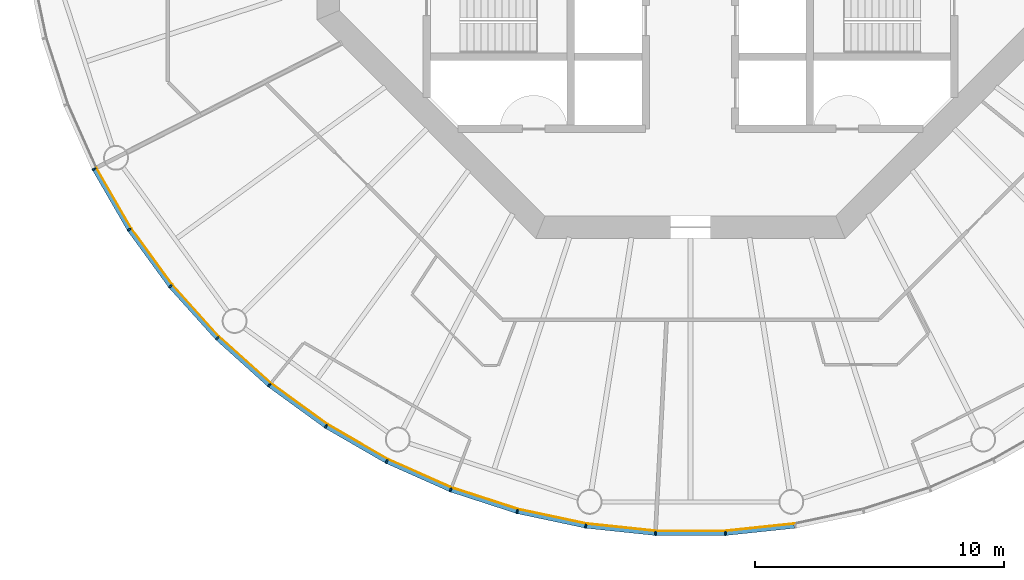
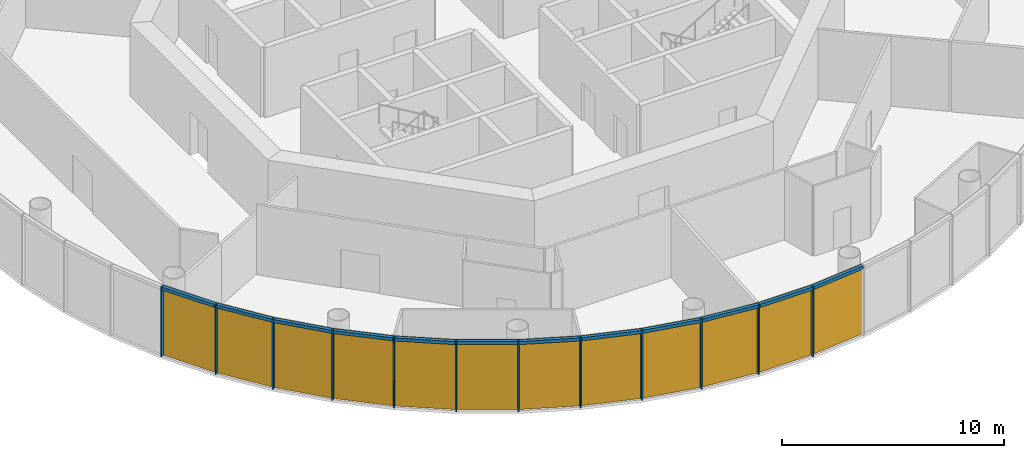
# One storey, part 6 of 12: 24 members, 4 curtain walls.
"""IFC4 building model written with IfcOpenShell, lengths in metres."""

from ifc_helpers import new_model, si_unit, direction, frame, origin, origin_2d, place, context, subcontext, project, spatial, polyline, rectangle, outline, extrude, material, layer, layer_set, material_profile, profile_set, type_object, element, aggregate, save


model = new_model("IFC4")

# Units and contexts
model_context = context("Model", 3, precision=1e-05, world=origin(), true_north=direction((0.0, 1.0)))
body_context = subcontext(model_context, "Body", "Model", "MODEL_VIEW")
ifc_project = project(units=[si_unit("LENGTHUNIT", "METRE"), si_unit("AREAUNIT", "SQUARE_METRE"), si_unit("VOLUMEUNIT", "CUBIC_METRE"), si_unit("PLANEANGLEUNIT", "RADIAN"), si_unit("MASSUNIT", "GRAM", prefix="KILO")], contexts=[model_context])

# Member
ifc_material_1 = material(Name="Anodised aluminium", Category="aluminium")
ifc_material_profile_1 = material_profile(ifc_material_1, rectangle(XDim=0.06005859375, YDim=0.169921875, at=origin_2d()), Name="Mullion 60 x 170 mm anodised aluminium")
ifc_profile_set_1 = profile_set([ifc_material_profile_1], Name="Anodised aluminium")
member_type_1 = type_object("IfcMemberType", Name="Mullion 60 x 170 mm anodised aluminium", PredefinedType="MULLION", material=ifc_profile_set_1)
site_placement = place(None, origin())
building_placement = place(site_placement, origin())
storey_placement = place(building_placement, frame((0.0, 0.0, 254.0)))
member_1_placement = place(storey_placement, frame((66.04541015625, 67.79443359375, 0.0), z_axis=(0.0, 0.0, 1.0), x_axis=(0.45399049974, -0.891006524188, 0.0)))
member_1 = element("IfcMember", 1, at=member_1_placement, type_object=member_type_1, Name="MULLION L58-33", PredefinedType="MULLION", context=body_context, shape_type="SweptSolid", body=[
    extrude(rectangle(XDim=0.06005859375, YDim=0.169921875, at=origin_2d()), origin(), (0.0, 0.0, 1.0), 3.85009765625),
])

member_2_placement = place(storey_placement, frame((67.452392578125, 65.357421875, 0.0), z_axis=(0.0, 0.0, 1.0), x_axis=(0.544639035015, -0.838670567945, 0.0)))
member_2 = element("IfcMember", 2, at=member_2_placement, type_object=member_type_1, Name="MULLION L58-34", PredefinedType="MULLION", context=body_context, shape_type="SweptSolid", body=[
    extrude(rectangle(XDim=0.06005859375, YDim=0.169921875, at=origin_2d()), origin(), (0.0, 0.0, 1.0), 3.85009765625),
])

member_3_placement = place(storey_placement, frame((69.1064453125, 63.080810546875, 0.0), z_axis=(0.0, 0.0, 1.0), x_axis=(0.62932039105, -0.777145961457, 0.0)))
member_3 = element("IfcMember", 3, at=member_3_placement, type_object=member_type_1, Name="MULLION L58-35", PredefinedType="MULLION", context=body_context, shape_type="SweptSolid", body=[
    extrude(rectangle(XDim=0.06005859375, YDim=0.169921875, at=origin_2d()), origin(), (0.0, 0.0, 1.0), 3.85009765625),
])

member_4_placement = place(storey_placement, frame((70.989501953125, 60.989501953125, 0.0), z_axis=(0.0, 0.0, 1.0), x_axis=(0.707106781187, -0.707106781187, 0.0)))
member_4 = element("IfcMember", 4, at=member_4_placement, type_object=member_type_1, Name="MULLION L58-36", PredefinedType="MULLION", context=body_context, shape_type="SweptSolid", body=[
    extrude(rectangle(XDim=0.06005859375, YDim=0.169921875, at=origin_2d()), origin(), (0.0, 0.0, 1.0), 3.85009765625),
])

member_5_placement = place(storey_placement, frame((73.080810546875, 59.1064453125, 0.0), z_axis=(0.0, 0.0, 1.0), x_axis=(0.777145961457, -0.62932039105, 0.0)))
member_5 = element("IfcMember", 5, at=member_5_placement, type_object=member_type_1, Name="MULLION L58-37", PredefinedType="MULLION", context=body_context, shape_type="SweptSolid", body=[
    extrude(rectangle(XDim=0.06005859375, YDim=0.169921875, at=origin_2d()), origin(), (0.0, 0.0, 1.0), 3.85009765625),
])

member_6_placement = place(storey_placement, frame((75.357421875, 57.452392578125, 0.0), z_axis=(0.0, 0.0, 1.0), x_axis=(0.838670567945, -0.544639035015, 0.0)))
member_6 = element("IfcMember", 6, at=member_6_placement, type_object=member_type_1, Name="MULLION L58-38", PredefinedType="MULLION", context=body_context, shape_type="SweptSolid", body=[
    extrude(rectangle(XDim=0.06005859375, YDim=0.169921875, at=origin_2d()), origin(), (0.0, 0.0, 1.0), 3.85009765625),
])

member_7_placement = place(storey_placement, frame((77.79443359375, 56.04541015625, 0.0), z_axis=(0.0, 0.0, 1.0), x_axis=(0.891006524188, -0.45399049974, 0.0)))
member_7 = element("IfcMember", 7, at=member_7_placement, type_object=member_type_1, Name="MULLION L58-39", PredefinedType="MULLION", context=body_context, shape_type="SweptSolid", body=[
    extrude(rectangle(XDim=0.06005859375, YDim=0.169921875, at=origin_2d()), origin(), (0.0, 0.0, 1.0), 3.85009765625),
])

member_8_placement = place(storey_placement, frame((80.365234375, 54.900634765625, 0.0), z_axis=(0.0, 0.0, 1.0), x_axis=(0.933580426497, -0.358367949545, 0.0)))
member_8 = element("IfcMember", 8, at=member_8_placement, type_object=member_type_1, Name="MULLION L58-40", PredefinedType="MULLION", context=body_context, shape_type="SweptSolid", body=[
    extrude(rectangle(XDim=0.06005859375, YDim=0.169921875, at=origin_2d()), origin(), (0.0, 0.0, 1.0), 3.85009765625),
])

member_9_placement = place(storey_placement, frame((83.041748046875, 54.031005859375, 0.0), z_axis=(0.0, 0.0, 1.0), x_axis=(0.965925826289, -0.258819045103, 0.0)))
member_9 = element("IfcMember", 9, at=member_9_placement, type_object=member_type_1, Name="MULLION L58-41", PredefinedType="MULLION", context=body_context, shape_type="SweptSolid", body=[
    extrude(rectangle(XDim=0.06005859375, YDim=0.169921875, at=origin_2d()), origin(), (0.0, 0.0, 1.0), 3.85009765625),
])

member_10_placement = place(storey_placement, frame((85.794189453125, 53.446044921875, 0.0), z_axis=(0.0, 0.0, 1.0), x_axis=(0.987688340595, -0.15643446504, 0.0)))
member_10 = element("IfcMember", 10, at=member_10_placement, type_object=member_type_1, Name="MULLION L58-42", PredefinedType="MULLION", context=body_context, shape_type="SweptSolid", body=[
    extrude(rectangle(XDim=0.06005859375, YDim=0.169921875, at=origin_2d()), origin(), (0.0, 0.0, 1.0), 3.85009765625),
])

member_11_placement = place(storey_placement, frame((88.593017578125, 53.15185546875, 0.0), z_axis=(0.0, 0.0, 1.0), x_axis=(0.998629534755, -0.052335956243, 0.0)))
member_11 = element("IfcMember", 11, at=member_11_placement, type_object=member_type_1, Name="MULLION L58-43", PredefinedType="MULLION", context=body_context, shape_type="SweptSolid", body=[
    extrude(rectangle(XDim=0.06005859375, YDim=0.169921875, at=origin_2d()), origin(), (0.0, 0.0, 1.0), 3.85009765625),
])

member_12_placement = place(storey_placement, frame((91.406982421875, 53.15185546875, 0.0), z_axis=(0.0, 0.0, 1.0), x_axis=(0.998629534755, 0.052335956243, 0.0)))
member_12 = element("IfcMember", 12, at=member_12_placement, type_object=member_type_1, Name="MULLION L58-44", PredefinedType="MULLION", context=body_context, shape_type="SweptSolid", body=[
    extrude(rectangle(XDim=0.06005859375, YDim=0.169921875, at=origin_2d()), origin(), (0.0, 0.0, 1.0), 3.85009765625),
])

ifc_material_2 = material(Name="Anodised aluminium", Category="aluminium")
ifc_material_profile_2 = material_profile(ifc_material_2, rectangle(XDim=0.169921875, YDim=0.1650390625, at=origin_2d()), Name="Transom 165 x 170 mm anodised aluminium")
ifc_profile_set_2 = profile_set([ifc_material_profile_2], Name="Anodised aluminium")
member_type_2 = type_object("IfcMemberType", Name="Transom 165 x 170 mm anodised aluminium", PredefinedType="USERDEFINED", material=ifc_profile_set_2)
member_13_placement = place(storey_placement, frame((66.0625, 67.7646484375, 3.767578125), z_axis=(0.49998419723, -0.866034527326, 0.0), x_axis=(0.866034527326, 0.49998419723, 0.0)))
member_13 = element("IfcMember", 13, at=member_13_placement, type_object=member_type_2, Name="TRANSOM L58-33", ObjectType="TRANSOM", PredefinedType="USERDEFINED", context=body_context, shape_type="SweptSolid", body=[
    extrude(rectangle(XDim=0.169921875, YDim=0.1650390625, at=origin_2d()), origin(), (0.0, 0.0, 1.0), 2.7451171875),
])

member_14_placement = place(storey_placement, frame((67.472412109375, 65.329345703125, 3.767578125), z_axis=(0.587864947412, -0.808959086484, 0.0), x_axis=(0.808959086484, 0.587864947412, 0.0)))
member_14 = element("IfcMember", 14, at=member_14_placement, type_object=member_type_2, Name="TRANSOM L58-34", ObjectType="TRANSOM", PredefinedType="USERDEFINED", context=body_context, shape_type="SweptSolid", body=[
    extrude(rectangle(XDim=0.169921875, YDim=0.1650390625, at=origin_2d()), origin(), (0.0, 0.0, 1.0), 2.7451171875),
])

member_15_placement = place(storey_placement, frame((69.12939453125, 63.054931640625, 3.767578125), z_axis=(0.669141598561, -0.743134927907, 0.0), x_axis=(0.743134927907, 0.669141598561, 0.0)))
member_15 = element("IfcMember", 15, at=member_15_placement, type_object=member_type_2, Name="TRANSOM L58-35", ObjectType="TRANSOM", PredefinedType="USERDEFINED", context=body_context, shape_type="SweptSolid", body=[
    extrude(rectangle(XDim=0.169921875, YDim=0.1650390625, at=origin_2d()), origin(), (0.0, 0.0, 1.0), 2.7451171875),
])

member_16_placement = place(storey_placement, frame((71.014892578125, 60.96630859375, 3.767578125), z_axis=(0.743134927907, -0.669141598561, 0.0), x_axis=(0.669141598561, 0.743134927907, 0.0)))
member_16 = element("IfcMember", 16, at=member_16_placement, type_object=member_type_2, Name="TRANSOM L58-36", ObjectType="TRANSOM", PredefinedType="USERDEFINED", context=body_context, shape_type="SweptSolid", body=[
    extrude(rectangle(XDim=0.169921875, YDim=0.1650390625, at=origin_2d()), origin(), (0.0, 0.0, 1.0), 2.7451171875),
])

member_17_placement = place(storey_placement, frame((73.108642578125, 59.086181640625, 3.767578125), z_axis=(0.808959086484, -0.587864947412, 0.0), x_axis=(0.587864947412, 0.808959086484, 0.0)))
member_17 = element("IfcMember", 17, at=member_17_placement, type_object=member_type_2, Name="TRANSOM L58-37", ObjectType="TRANSOM", PredefinedType="USERDEFINED", context=body_context, shape_type="SweptSolid", body=[
    extrude(rectangle(XDim=0.169921875, YDim=0.1650390625, at=origin_2d()), origin(), (0.0, 0.0, 1.0), 2.7451171875),
])

member_18_placement = place(storey_placement, frame((75.38720703125, 57.43505859375, 3.767578125), z_axis=(0.866034527326, -0.49998419723, 0.0), x_axis=(0.49998419723, 0.866034527326, 0.0)))
member_18 = element("IfcMember", 18, at=member_18_placement, type_object=member_type_2, Name="TRANSOM L58-38", ObjectType="TRANSOM", PredefinedType="USERDEFINED", context=body_context, shape_type="SweptSolid", body=[
    extrude(rectangle(XDim=0.169921875, YDim=0.1650390625, at=origin_2d()), origin(), (0.0, 0.0, 1.0), 2.7451171875),
])

member_19_placement = place(storey_placement, frame((77.825927734375, 56.03125, 3.767578125), z_axis=(0.913525267704, -0.406781987391, 0.0), x_axis=(0.406781987391, 0.913525267704, 0.0)))
member_19 = element("IfcMember", 19, at=member_19_placement, type_object=member_type_2, Name="TRANSOM L58-39", ObjectType="TRANSOM", PredefinedType="USERDEFINED", context=body_context, shape_type="SweptSolid", body=[
    extrude(rectangle(XDim=0.169921875, YDim=0.1650390625, at=origin_2d()), origin(), (0.0, 0.0, 1.0), 2.7451171875),
])

member_20_placement = place(storey_placement, frame((80.39794921875, 54.889892578125, 3.767578125), z_axis=(0.951048445774, -0.309041831781, 0.0), x_axis=(0.309041831781, 0.951048445774, 0.0)))
member_20 = element("IfcMember", 20, at=member_20_placement, type_object=member_type_2, Name="TRANSOM L58-40", ObjectType="TRANSOM", PredefinedType="USERDEFINED", context=body_context, shape_type="SweptSolid", body=[
    extrude(rectangle(XDim=0.169921875, YDim=0.1650390625, at=origin_2d()), origin(), (0.0, 0.0, 1.0), 2.7451171875),
])

member_21_placement = place(storey_placement, frame((83.075439453125, 54.02392578125, 3.767578125), z_axis=(0.97814212115, -0.207937468562, 0.0), x_axis=(0.207937468562, 0.97814212115, 0.0)))
member_21 = element("IfcMember", 21, at=member_21_placement, type_object=member_type_2, Name="TRANSOM L58-41", ObjectType="TRANSOM", PredefinedType="USERDEFINED", context=body_context, shape_type="SweptSolid", body=[
    extrude(rectangle(XDim=0.169921875, YDim=0.1650390625, at=origin_2d()), origin(), (0.0, 0.0, 1.0), 2.7451171875),
])

member_22_placement = place(storey_placement, frame((85.82861328125, 53.4423828125, 3.767578125), z_axis=(0.994515195344, -0.104592190102, 0.0), x_axis=(0.104592190102, 0.994515195344, 0.0)))
member_22 = element("IfcMember", 22, at=member_22_placement, type_object=member_type_2, Name="TRANSOM L58-42", ObjectType="TRANSOM", PredefinedType="USERDEFINED", context=body_context, shape_type="SweptSolid", body=[
    extrude(rectangle(XDim=0.169921875, YDim=0.1650390625, at=origin_2d()), origin(), (0.0, 0.0, 1.0), 2.7451171875),
])

member_23_placement = place(storey_placement, frame((88.62744140625, 53.151611328125, 3.767578125), z_axis=(1.0, 0.0, 0.0), x_axis=(0.0, 1.0, 0.0)))
member_23 = element("IfcMember", 23, at=member_23_placement, type_object=member_type_2, Name="TRANSOM L58-43", ObjectType="TRANSOM", PredefinedType="USERDEFINED", context=body_context, shape_type="SweptSolid", body=[
    extrude(rectangle(XDim=0.169921875, YDim=0.1650390625, at=origin_2d()), origin(), (0.0, 0.0, 1.0), 2.7451171875),
])

member_24_placement = place(storey_placement, frame((91.44140625, 53.1552734375, 3.767578125), z_axis=(0.994515195344, 0.104592190102, 0.0), x_axis=(-0.104592190102, 0.994515195344, 0.0)))
member_24 = element("IfcMember", 24, at=member_24_placement, type_object=member_type_2, Name="TRANSOM L58-44", ObjectType="TRANSOM", PredefinedType="USERDEFINED", context=body_context, shape_type="SweptSolid", body=[
    extrude(rectangle(XDim=0.169921875, YDim=0.1650390625, at=origin_2d()), origin(), (0.0, 0.0, 1.0), 2.7451171875),
])

# Site, building, storey
site = spatial("IfcSite", under=ifc_project, at=site_placement, CompositionType="ELEMENT")
building = spatial("IfcBuilding", under=site, at=building_placement, Name="Entoto Ring Tower", CompositionType="ELEMENT")
storey = spatial("IfcBuildingStorey", under=building, at=storey_placement, Name="L58", CompositionType="ELEMENT", Elevation=254.0)

# Curtain wall
ifc_material_3 = material(Name="Clear low-iron glass", Category="glass")
ifc_layer = layer(ifc_material_3, 0.031982421875)
ifc_layer_set = layer_set([ifc_layer], Name="Clear low-iron glass")
curtain_wall_type = type_object("IfcCurtainWallType", Name="Curtain wall system CW4 glazing 32 mm", PredefinedType="NOTDEFINED", material=ifc_layer_set)
curtain_wall_1_placement = place(storey_placement, origin())
curtain_wall_1 = element("IfcCurtainWall", 25, at=curtain_wall_1_placement, inside=storey, type_object=curtain_wall_type, Name="CW4 L58-12", PredefinedType="NOTDEFINED", context=body_context, shape_type="SweptSolid", body=[
    extrude(outline(polyline([(66.12109375, 67.8330078125), (67.523681640625, 65.403564453125), (69.172607421875, 63.13427734375), (71.049560546875, 61.049560546875), (71.072265625, 61.072265625), (69.197509765625, 63.154296875), (67.550537109375, 65.421142578125), (66.149658203125, 67.84765625), (66.12109375, 67.8330078125)])), origin(), (0.0, 0.0, 1.0), 3.85009765625),
])

aggregate(curtain_wall_1, [member_1, member_2, member_3, member_13, member_14, member_15])

curtain_wall_2_placement = place(storey_placement, origin())
curtain_wall_2 = element("IfcCurtainWall", 26, at=curtain_wall_2_placement, inside=storey, type_object=curtain_wall_type, Name="CW4 L58-13", PredefinedType="NOTDEFINED", context=body_context, shape_type="SweptSolid", body=[
    extrude(outline(polyline([(71.049560546875, 61.049560546875), (73.13427734375, 59.172607421875), (75.403564453125, 57.523681640625), (77.8330078125, 56.12109375), (77.84765625, 56.149658203125), (75.421142578125, 57.550537109375), (73.154296875, 59.197509765625), (71.072265625, 61.072265625), (71.049560546875, 61.049560546875)])), origin(), (0.0, 0.0, 1.0), 3.85009765625),
])

aggregate(curtain_wall_2, [member_4, member_5, member_6, member_16, member_17, member_18])

curtain_wall_3_placement = place(storey_placement, origin())
curtain_wall_3 = element("IfcCurtainWall", 27, at=curtain_wall_3_placement, inside=storey, type_object=curtain_wall_type, Name="CW4 L58-14", PredefinedType="NOTDEFINED", context=body_context, shape_type="SweptSolid", body=[
    extrude(outline(polyline([(77.8330078125, 56.12109375), (80.395751953125, 54.97998046875), (83.063720703125, 54.11328125), (85.8076171875, 53.530029296875), (85.8125, 53.5615234375), (83.072021484375, 54.14404296875), (80.4072265625, 55.010009765625), (77.84765625, 56.149658203125), (77.8330078125, 56.12109375)])), origin(), (0.0, 0.0, 1.0), 3.85009765625),
])

aggregate(curtain_wall_3, [member_7, member_8, member_9, member_19, member_20, member_21])

curtain_wall_4_placement = place(storey_placement, origin())
curtain_wall_4 = element("IfcCurtainWall", 28, at=curtain_wall_4_placement, inside=storey, type_object=curtain_wall_type, Name="CW4 L58-15", PredefinedType="NOTDEFINED", context=body_context, shape_type="SweptSolid", body=[
    extrude(outline(polyline([(85.8076171875, 53.530029296875), (88.597412109375, 53.23681640625), (91.402587890625, 53.23681640625), (94.1923828125, 53.530029296875), (94.1875, 53.5615234375), (91.40087890625, 53.268798828125), (88.59912109375, 53.268798828125), (85.8125, 53.5615234375), (85.8076171875, 53.530029296875)])), origin(), (0.0, 0.0, 1.0), 3.85009765625),
])

aggregate(curtain_wall_4, [member_10, member_11, member_12, member_22, member_23, member_24])

save(model, "model.ifc")
